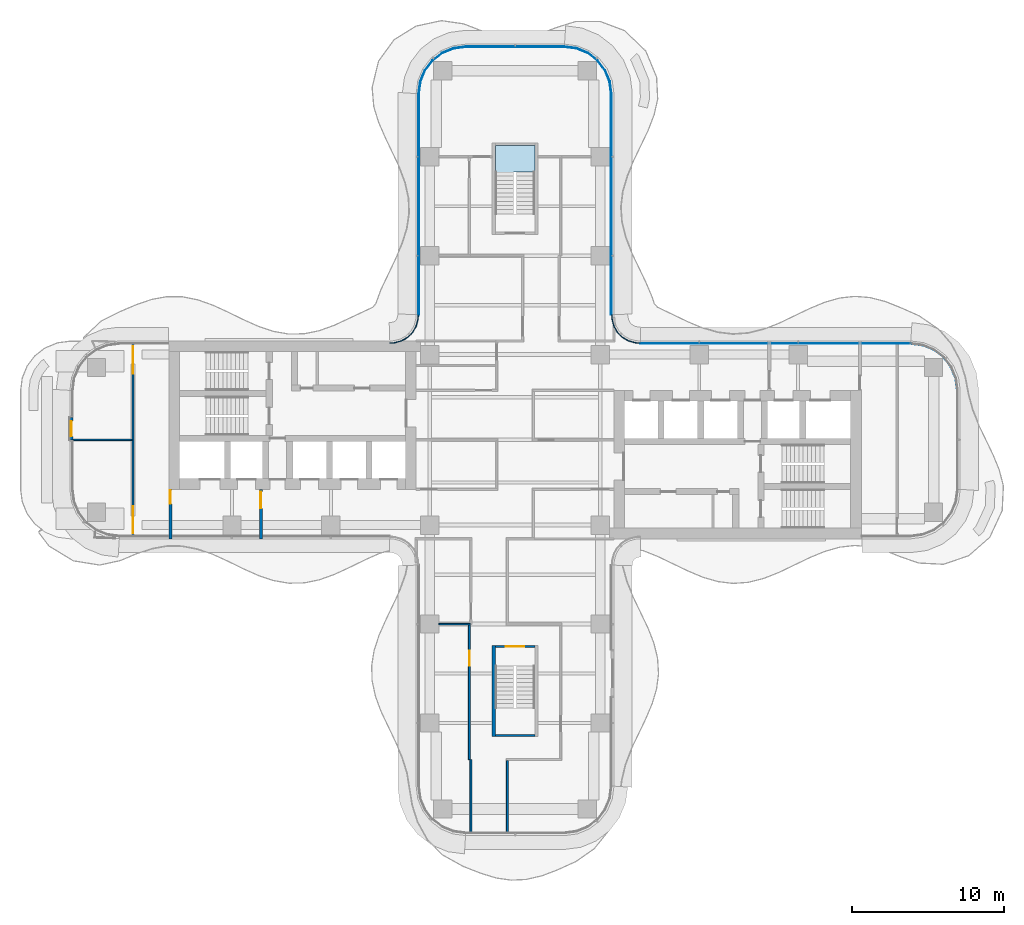
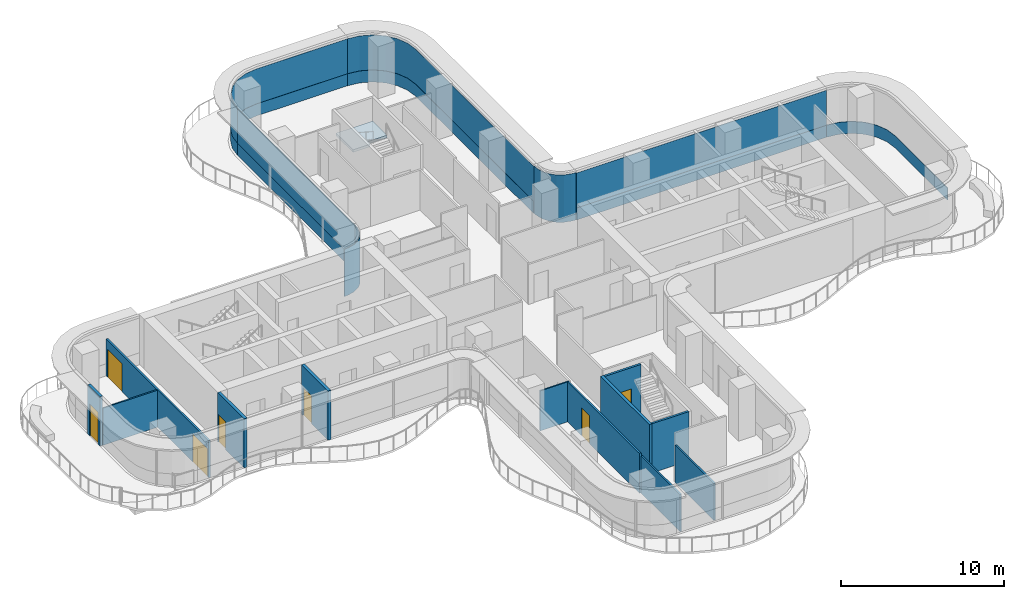
# One storey, part 11 of 17: 12 walls, 11 plates, 7 doors, 1 slab, 7 openings, 8 elements without a shape of their own.
"""IFC4 building model written with IfcOpenShell, lengths in metres."""

from ifc_helpers import new_model, si_unit, direction, frame, frame_2d, origin, place, context, subcontext, project, spatial, polyline, rectangle, outline, extrude, source, transform, mapped, material, layer, layer_set, type_object, element, fill, aggregate, save


model = new_model("IFC4")

# Units and contexts
model_context = context("Model", 3, precision=1e-05, world=origin(), true_north=direction((0.0, 1.0)))
body_context = subcontext(model_context, "Body", "Model", "MODEL_VIEW")
ifc_project = project(units=[si_unit("LENGTHUNIT", "METRE"), si_unit("AREAUNIT", "SQUARE_METRE"), si_unit("VOLUMEUNIT", "CUBIC_METRE"), si_unit("PLANEANGLEUNIT", "RADIAN"), si_unit("MASSUNIT", "GRAM", prefix="KILO")], contexts=[model_context])

# Site, building, storey
site_placement = place(None, origin())
site = spatial("IfcSite", under=ifc_project, at=site_placement, CompositionType="ELEMENT")
building_placement = place(site_placement, origin())
building = spatial("IfcBuilding", under=site, at=building_placement, Name="Trellis Farm Tower", CompositionType="ELEMENT")
storey_placement = place(building_placement, frame((0.0, 0.0, 162.0)))
storey = spatial("IfcBuildingStorey", under=building, at=storey_placement, Name="L34", CompositionType="ELEMENT", Elevation=162.0)

# Stair, slab
ifc_material_1 = material(Name="Concrete C50/60", Category="concrete")
stair_type = type_object("IfcStairType", Name="CORE EXIT STAIR 22 RISERS 177 MM", PredefinedType="HALF_TURN_STAIR", material=ifc_material_1)
placement_1 = place(storey_placement, origin())
stair = element("IfcStair", 1, at=placement_1, inside=storey, type_object=stair_type, Name="Exit stair N", PredefinedType="HALF_TURN_STAIR")
ifc_layer_1 = layer(ifc_material_1, 0.18994140625)
ifc_layer_set_1 = layer_set([ifc_layer_1], Name="CORE STAIR LANDING 190 CONCRETE C50/60")
slab_type = type_object("IfcSlabType", Name="CORE STAIR LANDING 190 CONCRETE C50/60", PredefinedType="LANDING", material=ifc_layer_set_1)
shared_shape_1 = source(origin(), body_context, "Body", "SweptSolid", [
    extrude(outline(polyline([(-0.10009765625, 17.27197265625), (-1.300048828125, 17.27197265625), (-1.300048828125, 17.60009765625), (-1.300048828125, 19.35009765625), (1.300048828125, 19.35009765625), (1.300048828125, 17.60009765625), (1.300048828125, 17.590087890625), (0.10009765625, 17.590087890625), (0.10009765625, 17.60009765625), (-0.10009765625, 17.60009765625), (-0.10009765625, 17.27197265625)])), origin(), (0.0, 0.0, 1.0), 0.18994140625),
])
slab_placement = place(storey_placement, frame((0.0, 0.0, 1.760009765625)))
slab = element("IfcSlab", 2, at=slab_placement, type_object=slab_type, Name="STN landing 1", PredefinedType="LANDING", context=body_context, shape_type="MappedRepresentation", body=[
    mapped(shared_shape_1, transform((0.0, 0.0, 0.0))),
])
aggregate(stair, [slab])

# Curtain wall, plate
ifc_material_2 = material(Name="Aluminium and glass curtain wall", Category="aluminium")
ifc_layer_2 = layer(ifc_material_2, 0.18994140625)
ifc_layer_set_2 = layer_set([ifc_layer_2], Name="RIBBON CURTAIN WALL CW1")
curtain_wall_type_1 = type_object("IfcCurtainWallType", Name="RIBBON CURTAIN WALL CW1", PredefinedType="NOTDEFINED", material=ifc_layer_set_2)
curtain_wall_1 = element("IfcCurtainWall", 3, at=placement_1, inside=storey, type_object=curtain_wall_type_1, Name="CW1 009", PredefinedType="NOTDEFINED")
ifc_material_3 = material(Name="Sandstone faced insulated panel", Category="masonry")
ifc_layer_3 = layer(ifc_material_3, 0.050048828125)
ifc_layer_set_3 = layer_set([ifc_layer_3], Name="CW1 STONE SPANDREL PANEL 50")
plate_type_1 = type_object("IfcPlateType", Name="CW1 STONE SPANDREL PANEL 50", PredefinedType="CURTAIN_PANEL", material=ifc_layer_set_3)
shared_shape_2 = source(origin(), body_context, "Body", "SweptSolid", [
    extrude(outline(polyline([(6.35009765625, 8.2265625), (6.35009765625, 22.740234375), (6.2431640625, 23.552001953125), (5.93359375, 24.29931640625), (5.441162109375, 24.941162109375), (4.79931640625, 25.43359375), (4.052001953125, 25.7431640625), (3.240234375, 25.85009765625), (3.23681640625, 25.800048828125), (4.0390625, 25.6943359375), (4.774169921875, 25.389892578125), (5.405517578125, 24.905517578125), (5.889892578125, 24.274169921875), (6.1943359375, 23.5390625), (6.300048828125, 22.73681640625), (6.300048828125, 8.224853515625), (6.35009765625, 8.2265625)])), origin(), (0.0, 0.0, 1.0), 0.89990234375),
])
plate_1 = element("IfcPlate", 4, at=placement_1, type_object=plate_type_1, Name="PS1 009", PredefinedType="CURTAIN_PANEL", context=body_context, shape_type="MappedRepresentation", body=[
    mapped(shared_shape_2, transform((0.0, 0.0, 0.0))),
])

curtain_wall_2 = element("IfcCurtainWall", 5, at=placement_1, inside=storey, type_object=curtain_wall_type_1, Name="CW1 011", PredefinedType="NOTDEFINED")
shared_shape_3 = source(origin(), body_context, "Body", "SweptSolid", [
    extrude(outline(polyline([(-6.35009765625, 22.740234375), (-6.35009765625, 8.2265625), (-6.300048828125, 8.224853515625), (-6.300048828125, 22.73681640625), (-6.35009765625, 22.740234375)])), origin(), (0.0, 0.0, 1.0), 0.89990234375),
])
plate_2 = element("IfcPlate", 6, at=placement_1, type_object=plate_type_1, Name="PS1 011", PredefinedType="CURTAIN_PANEL", context=body_context, shape_type="MappedRepresentation", body=[
    mapped(shared_shape_3, transform((0.0, 0.0, 0.0))),
])

curtain_wall_3 = element("IfcCurtainWall", 7, at=placement_1, inside=storey, type_object=curtain_wall_type_1, Name="CW1 010", PredefinedType="NOTDEFINED")
shared_shape_4 = source(origin(), body_context, "Body", "SweptSolid", [
    extrude(outline(polyline([(3.240234375, 25.85009765625), (-3.240234375, 25.85009765625), (-4.052001953125, 25.7431640625), (-4.79931640625, 25.43359375), (-5.441162109375, 24.941162109375), (-5.93359375, 24.29931640625), (-6.2431640625, 23.552001953125), (-6.35009765625, 22.740234375), (-6.300048828125, 22.73681640625), (-6.1943359375, 23.5390625), (-5.889892578125, 24.274169921875), (-5.405517578125, 24.905517578125), (-4.774169921875, 25.389892578125), (-4.0390625, 25.6943359375), (-3.23681640625, 25.800048828125), (3.23681640625, 25.800048828125), (3.240234375, 25.85009765625)])), origin(), (0.0, 0.0, 1.0), 0.89990234375),
])
plate_3 = element("IfcPlate", 8, at=placement_1, type_object=plate_type_1, Name="PS1 010", PredefinedType="CURTAIN_PANEL", context=body_context, shape_type="MappedRepresentation", body=[
    mapped(shared_shape_4, transform((0.0, 0.0, 0.0))),
])

curtain_wall_4 = element("IfcCurtainWall", 9, at=placement_1, inside=storey, type_object=curtain_wall_type_1, Name="CW1 008", PredefinedType="NOTDEFINED")
shared_shape_5 = source(origin(), body_context, "Body", "SweptSolid", [
    extrude(outline(polyline([(25.990234375, 6.35009765625), (8.2265625, 6.35009765625), (8.224853515625, 6.300048828125), (25.98681640625, 6.300048828125), (25.990234375, 6.35009765625)])), origin(), (0.0, 0.0, 1.0), 0.89990234375),
])
plate_4 = element("IfcPlate", 10, at=placement_1, type_object=plate_type_1, Name="PS1 008", PredefinedType="CURTAIN_PANEL", context=body_context, shape_type="MappedRepresentation", body=[
    mapped(shared_shape_5, transform((0.0, 0.0, 0.0))),
])

curtain_wall_5 = element("IfcCurtainWall", 11, at=placement_1, inside=storey, type_object=curtain_wall_type_1, Name="CW1 007", PredefinedType="NOTDEFINED")
shared_shape_6 = source(origin(), body_context, "Body", "SweptSolid", [
    extrude(outline(polyline([(29.10009765625, -3.240234375), (29.10009765625, 3.240234375), (28.9931640625, 4.052001953125), (28.68359375, 4.79931640625), (28.191162109375, 5.441162109375), (27.54931640625, 5.93359375), (26.802001953125, 6.2431640625), (25.990234375, 6.35009765625), (25.98681640625, 6.300048828125), (26.7890625, 6.1943359375), (27.524169921875, 5.889892578125), (28.155517578125, 5.405517578125), (28.639892578125, 4.774169921875), (28.9443359375, 4.0390625), (29.050048828125, 3.23681640625), (29.050048828125, -3.23681640625), (29.10009765625, -3.240234375)])), origin(), (0.0, 0.0, 1.0), 0.89990234375),
])
plate_5 = element("IfcPlate", 12, at=placement_1, type_object=plate_type_1, Name="PS1 007", PredefinedType="CURTAIN_PANEL", context=body_context, shape_type="MappedRepresentation", body=[
    mapped(shared_shape_6, transform((0.0, 0.0, 0.0))),
])
aggregate(curtain_wall_5, [plate_5])

ifc_layer_4 = layer(ifc_material_2, 0.166015625)
ifc_layer_set_4 = layer_set([ifc_layer_4], Name="WINTER GARDEN CURTAIN WALL CW3")
curtain_wall_type_2 = type_object("IfcCurtainWallType", Name="WINTER GARDEN CURTAIN WALL CW3", PredefinedType="NOTDEFINED", material=ifc_layer_set_4)
curtain_wall_6 = element("IfcCurtainWall", 13, at=placement_1, inside=storey, type_object=curtain_wall_type_2, Name="CW3 003", PredefinedType="NOTDEFINED")
ifc_material_4 = material(Name="Clear insulated glass", Category="glass")
ifc_layer_5 = layer(ifc_material_4, 0.0458984375)
ifc_layer_set_5 = layer_set([ifc_layer_5], Name="CW3 GLASS PANEL 46")
plate_type_2 = type_object("IfcPlateType", Name="CW3 GLASS PANEL 46", PredefinedType="CURTAIN_PANEL", material=ifc_layer_set_5)
shared_shape_7 = source(origin(), body_context, "Body", "SweptSolid", [
    extrude(outline(polyline([(8.2275390625, 6.3798828125), (8.0078125, 6.394287109375), (7.89208984375, 6.40966796875), (7.462158203125, 6.52490234375), (7.070556640625, 6.7509765625), (6.7509765625, 7.070556640625), (6.52490234375, 7.462158203125), (6.40966796875, 7.89208984375), (6.394287109375, 8.0078125), (6.3798828125, 8.2275390625), (6.333984375, 8.22607421875), (6.3486328125, 8.003173828125), (6.364501953125, 7.883056640625), (6.48193359375, 7.4443359375), (6.714111328125, 7.04248046875), (7.04248046875, 6.714111328125), (7.4443359375, 6.48193359375), (7.883056640625, 6.364501953125), (8.003173828125, 6.3486328125), (8.22607421875, 6.333984375), (8.2275390625, 6.3798828125)])), origin(), (0.0, 0.0, 1.0), 3.550048828125),
])
plate_6 = element("IfcPlate", 14, at=placement_1, type_object=plate_type_2, Name="PL3 003", PredefinedType="CURTAIN_PANEL", context=body_context, shape_type="MappedRepresentation", body=[
    mapped(shared_shape_7, transform((0.0, 0.0, 0.0))),
])
aggregate(curtain_wall_6, [plate_6])

curtain_wall_7 = element("IfcCurtainWall", 15, at=placement_1, inside=storey, type_object=curtain_wall_type_2, Name="CW3 004", PredefinedType="NOTDEFINED")
shared_shape_8 = source(origin(), body_context, "Body", "SweptSolid", [
    extrude(outline(polyline([(-6.3798828125, 8.2275390625), (-6.394287109375, 8.0078125), (-6.40966796875, 7.89208984375), (-6.52490234375, 7.462158203125), (-6.7509765625, 7.070556640625), (-7.070556640625, 6.7509765625), (-7.462158203125, 6.52490234375), (-7.89208984375, 6.40966796875), (-8.0078125, 6.394287109375), (-8.2275390625, 6.3798828125), (-8.22607421875, 6.333984375), (-8.003173828125, 6.3486328125), (-7.883056640625, 6.364501953125), (-7.4443359375, 6.48193359375), (-7.04248046875, 6.714111328125), (-6.714111328125, 7.04248046875), (-6.48193359375, 7.4443359375), (-6.364501953125, 7.883056640625), (-6.3486328125, 8.003173828125), (-6.333984375, 8.22607421875), (-6.3798828125, 8.2275390625)])), origin(), (0.0, 0.0, 1.0), 3.550048828125),
])
plate_7 = element("IfcPlate", 16, at=placement_1, type_object=plate_type_2, Name="PL3 004", PredefinedType="CURTAIN_PANEL", context=body_context, shape_type="MappedRepresentation", body=[
    mapped(shared_shape_8, transform((0.0, 0.0, 0.0))),
])
aggregate(curtain_wall_7, [plate_7])

# Plate
ifc_layer_6 = layer(ifc_material_4, 0.0400390625)
ifc_layer_set_6 = layer_set([ifc_layer_6], Name="CW1 GLASS PANEL 40")
plate_type_3 = type_object("IfcPlateType", Name="CW1 GLASS PANEL 40", PredefinedType="CURTAIN_PANEL", material=ifc_layer_set_6)
shared_shape_9 = source(origin(), body_context, "Body", "SweptSolid", [
    extrude(outline(polyline([(25.990234375, 6.35009765625), (8.2265625, 6.35009765625), (8.22509765625, 6.31005859375), (25.987548828125, 6.31005859375), (25.990234375, 6.35009765625)])), origin(), (0.0, 0.0, 1.0), 2.6201171875),
])
placement_2 = place(storey_placement, frame((0.0, 0.0, 0.89990234375)))
plate_8 = element("IfcPlate", 17, at=placement_2, type_object=plate_type_3, Name="PL1 008", PredefinedType="CURTAIN_PANEL", context=body_context, shape_type="MappedRepresentation", body=[
    mapped(shared_shape_9, transform((0.0, 0.0, 0.0))),
])

aggregate(curtain_wall_4, [plate_8, plate_4])

shared_shape_10 = source(origin(), body_context, "Body", "SweptSolid", [
    extrude(outline(polyline([(6.35009765625, 8.2265625), (6.35009765625, 22.740234375), (6.2431640625, 23.552001953125), (5.93359375, 24.29931640625), (5.441162109375, 24.941162109375), (4.79931640625, 25.43359375), (4.052001953125, 25.7431640625), (3.240234375, 25.85009765625), (3.237548828125, 25.81005859375), (4.04150390625, 25.7041015625), (4.779296875, 25.398681640625), (5.41259765625, 24.91259765625), (5.898681640625, 24.279296875), (6.2041015625, 23.54150390625), (6.31005859375, 22.737548828125), (6.31005859375, 8.22509765625), (6.35009765625, 8.2265625)])), origin(), (0.0, 0.0, 1.0), 2.6201171875),
])
plate_9 = element("IfcPlate", 18, at=placement_2, type_object=plate_type_3, Name="PL1 009", PredefinedType="CURTAIN_PANEL", context=body_context, shape_type="MappedRepresentation", body=[
    mapped(shared_shape_10, transform((0.0, 0.0, 0.0))),
])

aggregate(curtain_wall_1, [plate_9, plate_1])

shared_shape_11 = source(origin(), body_context, "Body", "SweptSolid", [
    extrude(outline(polyline([(3.240234375, 25.85009765625), (-3.240234375, 25.85009765625), (-4.052001953125, 25.7431640625), (-4.79931640625, 25.43359375), (-5.441162109375, 24.941162109375), (-5.93359375, 24.29931640625), (-6.2431640625, 23.552001953125), (-6.35009765625, 22.740234375), (-6.31005859375, 22.737548828125), (-6.2041015625, 23.54150390625), (-5.898681640625, 24.279296875), (-5.41259765625, 24.91259765625), (-4.779296875, 25.398681640625), (-4.04150390625, 25.7041015625), (-3.237548828125, 25.81005859375), (3.237548828125, 25.81005859375), (3.240234375, 25.85009765625)])), origin(), (0.0, 0.0, 1.0), 2.6201171875),
])
plate_10 = element("IfcPlate", 19, at=placement_2, type_object=plate_type_3, Name="PL1 010", PredefinedType="CURTAIN_PANEL", context=body_context, shape_type="MappedRepresentation", body=[
    mapped(shared_shape_11, transform((0.0, 0.0, 0.0))),
])

aggregate(curtain_wall_3, [plate_10, plate_3])

shared_shape_12 = source(origin(), body_context, "Body", "SweptSolid", [
    extrude(outline(polyline([(-6.35009765625, 22.740234375), (-6.35009765625, 8.2265625), (-6.31005859375, 8.22509765625), (-6.31005859375, 22.737548828125), (-6.35009765625, 22.740234375)])), origin(), (0.0, 0.0, 1.0), 2.6201171875),
])
plate_11 = element("IfcPlate", 20, at=placement_2, type_object=plate_type_3, Name="PL1 011", PredefinedType="CURTAIN_PANEL", context=body_context, shape_type="MappedRepresentation", body=[
    mapped(shared_shape_12, transform((0.0, 0.0, 0.0))),
])

aggregate(curtain_wall_2, [plate_11, plate_2])

# Wall, opening, door
ifc_material_5 = material(Name="Masonry blockwork", Category="masonry")
ifc_layer_7 = layer(ifc_material_5, 0.199951171875)
ifc_layer_set_7 = layer_set([ifc_layer_7], Name="FIRE LOBBY PARTITION 200 BLOCKWORK")
wall_type_1 = type_object("IfcWallType", Name="FIRE LOBBY PARTITION 200 BLOCKWORK", PredefinedType="PARTITIONING", material=ifc_layer_set_7)
shared_shape_13 = source(origin(), body_context, "Body", "SweptSolid", [
    extrude(rectangle(XDim=3.25, YDim=0.199951171875, at=frame_2d((1.625, 0.0))), origin(), (0.0, 0.0, 1.0), 3.699951171875),
])
wall_1_placement = place(storey_placement, frame((-16.699951171875, -3.25, 0.0), z_axis=(0.0, 0.0, 1.0), x_axis=(0.0, -1.0, 0.0)))
wall_1 = element("IfcWall", 21, at=wall_1_placement, inside=storey, type_object=wall_type_1, Name="Fire-fighting lobby partition", PredefinedType="PARTITIONING", context=body_context, shape_type="MappedRepresentation", body=[
    mapped(shared_shape_13, transform((0.0, 0.0, 0.0))),
])
shared_shape_14 = source(origin(), body_context, "Body", "SweptSolid", [
    extrude(rectangle(XDim=1.10009765625, YDim=2.10009765625, at=frame_2d((0.550048828125, 1.050048828125))), frame((0.0, 0.110107421875, 0.0), z_axis=(0.0, -1.0, 0.0), x_axis=(1.0, 0.0, 0.0)), (0.0, 0.0, 1.0), 0.22021484375),
])
opening_1_placement = place(wall_1_placement, frame((0.14990234375, 0.0, 0.0)))
opening_1 = element("IfcOpeningElement", 22, at=opening_1_placement, cuts=wall_1, Name="Opening DC93", PredefinedType="OPENING", context=body_context, shape_type="MappedRepresentation", body=[
    mapped(shared_shape_14, transform((0.0, 0.0, 0.0))),
])
ifc_material_6 = material(Name="Steel", Category="steel")
door_type_1 = type_object("IfcDoorType", Name="CORE FIRE DOOR 1100 X 2100", OperationType="NOTDEFINED", PredefinedType="DOOR", material=ifc_material_6)
shared_shape_15 = source(origin(), body_context, "Body", "SweptSolid", [
    extrude(rectangle(XDim=1.10009765625, YDim=2.10009765625, at=frame_2d((0.550048828125, 1.050048828125))), frame((0.0, 0.02490234375, 0.0), z_axis=(0.0, -1.0, 0.0), x_axis=(1.0, 0.0, 0.0)), (0.0, 0.0, 1.0), 0.050048828125),
])
door_1_placement = place(opening_1_placement, origin())
door_1 = element("IfcDoor", 23, at=door_1_placement, inside=storey, type_object=door_type_1, Name="Core door", OperationType="SINGLE_SWING_RIGHT", OverallHeight=2.10009765625, OverallWidth=1.10009765625, PredefinedType="DOOR", context=body_context, shape_type="MappedRepresentation", body=[
    mapped(shared_shape_15, transform((0.0, 0.0, 0.0))),
])
fill(opening_1, door_1)

wall_2_placement = place(storey_placement, frame((-22.64990234375, -3.25, 0.0), z_axis=(0.0, 0.0, 1.0), x_axis=(0.0, -1.0, 0.0)))
wall_2 = element("IfcWall", 24, at=wall_2_placement, inside=storey, type_object=wall_type_1, Name="Fire-fighting lobby partition", PredefinedType="PARTITIONING", context=body_context, shape_type="MappedRepresentation", body=[
    mapped(shared_shape_13, transform((0.0, 0.0, 0.0))),
])
shared_shape_16 = source(origin(), body_context, "Body", "SweptSolid", [
    extrude(rectangle(XDim=0.89990234375, YDim=2.10009765625, at=frame_2d((0.449951171875, 1.050048828125))), frame((0.0, 0.110107421875, 0.0), z_axis=(0.0, -1.0, 0.0), x_axis=(1.0, 0.0, 0.0)), (0.0, 0.0, 1.0), 0.22021484375),
])
opening_2_placement = place(wall_2_placement, frame((0.050048828125, 0.0, 0.0)))
opening_2 = element("IfcOpeningElement", 25, at=opening_2_placement, cuts=wall_2, Name="Opening DC94", PredefinedType="OPENING", context=body_context, shape_type="MappedRepresentation", body=[
    mapped(shared_shape_16, transform((0.0, 0.0, 0.0))),
])
door_type_2 = type_object("IfcDoorType", Name="CORE FIRE DOOR 900 X 2100", OperationType="NOTDEFINED", PredefinedType="DOOR", material=ifc_material_6)
shared_shape_17 = source(origin(), body_context, "Body", "SweptSolid", [
    extrude(rectangle(XDim=0.89990234375, YDim=2.10009765625, at=frame_2d((0.449951171875, 1.050048828125))), frame((0.0, 0.02490234375, 0.0), z_axis=(0.0, -1.0, 0.0), x_axis=(1.0, 0.0, 0.0)), (0.0, 0.0, 1.0), 0.050048828125),
])
door_2_placement = place(opening_2_placement, origin())
door_2 = element("IfcDoor", 26, at=door_2_placement, inside=storey, type_object=door_type_2, Name="Core door", OperationType="SINGLE_SWING_RIGHT", OverallHeight=2.10009765625, OverallWidth=0.89990234375, PredefinedType="DOOR", context=body_context, shape_type="MappedRepresentation", body=[
    mapped(shared_shape_17, transform((0.0, 0.0, 0.0))),
])
fill(opening_2, door_2)

# Wall
ifc_material_7 = material(Name="Concrete C70/85", Category="concrete")
ifc_layer_8 = layer(ifc_material_7, 0.199951171875)
ifc_layer_set_8 = layer_set([ifc_layer_8], Name="CORE STAIR ENCLOSURE WALL 200 CONCRETE C70/85")
wall_type_2 = type_object("IfcWallType", Name="CORE STAIR ENCLOSURE WALL 200 CONCRETE C70/85", PredefinedType="SHEAR", material=ifc_layer_set_8)
shared_shape_18 = source(origin(), body_context, "Body", "SweptSolid", [
    extrude(rectangle(XDim=6.0, YDim=0.199951171875, at=frame_2d((3.0, 0.0))), origin(), (0.0, 0.0, 1.0), 3.699951171875),
])
wall_3_placement = place(storey_placement, frame((-1.39990234375, -13.5, 0.0), z_axis=(0.0, 0.0, 1.0), x_axis=(0.0, -1.0, 0.0)))
element("IfcWall", 27, at=wall_3_placement, inside=storey, type_object=wall_type_2, Name="Stair enclosure wall", PredefinedType="SHEAR", context=body_context, shape_type="MappedRepresentation", body=[
    mapped(shared_shape_18, transform((0.0, 0.0, 0.0))),
])

# Wall, opening, door
ifc_layer_9 = layer(ifc_material_7, 0.14990234375)
ifc_layer_set_9 = layer_set([ifc_layer_9], Name="CORE STAIR ENCLOSURE WALL 150 CONCRETE C70/85")
wall_type_3 = type_object("IfcWallType", Name="CORE STAIR ENCLOSURE WALL 150 CONCRETE C70/85", PredefinedType="SHEAR", material=ifc_layer_set_9)
shared_shape_19 = source(origin(), body_context, "Body", "SweptSolid", [
    extrude(rectangle(XDim=2.60009765625, YDim=0.14990234375, at=frame_2d((1.300048828125, 0.0))), origin(), (0.0, 0.0, 1.0), 3.699951171875),
])
wall_4_placement = place(storey_placement, frame((1.300048828125, -13.574951171875, 0.0), z_axis=(0.0, 0.0, 1.0), x_axis=(-1.0, 0.0, 0.0)))
wall_4 = element("IfcWall", 28, at=wall_4_placement, inside=storey, type_object=wall_type_3, Name="Stair enclosure wall", PredefinedType="SHEAR", context=body_context, shape_type="MappedRepresentation", body=[
    mapped(shared_shape_19, transform((0.0, 0.0, 0.0))),
])
shared_shape_20 = source(origin(), body_context, "Body", "SweptSolid", [
    extrude(rectangle(XDim=1.199951171875, YDim=2.10009765625, at=frame_2d((0.60009765625, 1.050048828125))), frame((0.0, 0.0849609375, 0.0), z_axis=(0.0, -1.0, 0.0), x_axis=(1.0, 0.0, 0.0)), (0.0, 0.0, 1.0), 0.169921875),
])
opening_3_placement = place(wall_4_placement, frame((0.699951171875, 0.0, 0.0)))
opening_3 = element("IfcOpeningElement", 29, at=opening_3_placement, cuts=wall_4, Name="Opening DC174", PredefinedType="OPENING", context=body_context, shape_type="MappedRepresentation", body=[
    mapped(shared_shape_20, transform((0.0, 0.0, 0.0))),
])
door_type_3 = type_object("IfcDoorType", Name="CORE FIRE DOOR 1200 X 2100", OperationType="NOTDEFINED", PredefinedType="DOOR", material=ifc_material_6)
shared_shape_21 = source(origin(), body_context, "Body", "SweptSolid", [
    extrude(rectangle(XDim=1.199951171875, YDim=2.10009765625, at=frame_2d((0.60009765625, 1.050048828125))), frame((0.0, 0.02490234375, 0.0), z_axis=(0.0, -1.0, 0.0), x_axis=(1.0, 0.0, 0.0)), (0.0, 0.0, 1.0), 0.050048828125),
])
door_3_placement = place(opening_3_placement, origin())
door_3 = element("IfcDoor", 30, at=door_3_placement, inside=storey, type_object=door_type_3, Name="Core door", OperationType="SINGLE_SWING_RIGHT", OverallHeight=2.10009765625, OverallWidth=1.199951171875, PredefinedType="DOOR", context=body_context, shape_type="MappedRepresentation", body=[
    mapped(shared_shape_21, transform((0.0, 0.0, 0.0))),
])
fill(opening_3, door_3)

# Wall
wall_5_placement = place(storey_placement, frame((1.300048828125, -19.425048828125, 0.0), z_axis=(0.0, 0.0, 1.0), x_axis=(-1.0, 0.0, 0.0)))
element("IfcWall", 31, at=wall_5_placement, inside=storey, type_object=wall_type_3, Name="Stair enclosure wall", PredefinedType="SHEAR", context=body_context, shape_type="MappedRepresentation", body=[
    mapped(shared_shape_19, transform((0.0, 0.0, 0.0))),
])

# Wall, opening, door
ifc_material_8 = material(Name="Sandstone faced insulated wall", Category="masonry")
ifc_layer_10 = layer(ifc_material_8, 0.199951171875)
ifc_layer_set_10 = layer_set([ifc_layer_10], Name="EXTERNAL INFILL WALL 200")
wall_type_4 = type_object("IfcWallType", Name="EXTERNAL INFILL WALL 200", PredefinedType="SOLIDWALL", material=ifc_layer_set_10)
shared_shape_22 = source(origin(), body_context, "Body", "SweptSolid", [
    extrude(rectangle(XDim=1.5, YDim=0.199951171875, at=frame_2d((0.75, 0.0))), origin(), (0.0, 0.0, 1.0), 3.699951171875),
])
wall_6_placement = place(storey_placement, frame((-29.14990234375, 1.47998046875, 0.0), z_axis=(0.0, 0.0, 1.0), x_axis=(0.0, -1.0, 0.0)))
wall_6 = element("IfcWall", 32, at=wall_6_placement, inside=storey, type_object=wall_type_4, Name="EW1 02", PredefinedType="SOLIDWALL", context=body_context, shape_type="MappedRepresentation", body=[
    mapped(shared_shape_22, transform((0.0, 0.0, 0.0))),
])
shared_shape_23 = source(origin(), body_context, "Body", "SweptSolid", [
    extrude(rectangle(XDim=1.0, YDim=2.39990234375, at=frame_2d((0.5, 1.199951171875))), frame((0.0, 0.110107421875, 0.0), z_axis=(0.0, -1.0, 0.0), x_axis=(1.0, 0.0, 0.0)), (0.0, 0.0, 1.0), 0.22021484375),
])
opening_4_placement = place(wall_6_placement, frame((0.25, 0.0, 0.0)))
opening_4 = element("IfcOpeningElement", 33, at=opening_4_placement, cuts=wall_6, Name="Opening ED2", PredefinedType="OPENING", context=body_context, shape_type="MappedRepresentation", body=[
    mapped(shared_shape_23, transform((0.0, 0.0, 0.0))),
])
ifc_material_9 = material(Name="Aluminium framed glazed door", Category="aluminium")
door_type_4 = type_object("IfcDoorType", Name="BALCONY DOOR 1000x2400", OperationType="SINGLE_SWING_LEFT", PredefinedType="DOOR", material=ifc_material_9)
shared_shape_24 = source(origin(), body_context, "Body", "SweptSolid", [
    extrude(rectangle(XDim=1.0, YDim=2.39990234375, at=frame_2d((0.5, 1.199951171875))), frame((0.0, 0.02490234375, 0.0), z_axis=(0.0, -1.0, 0.0), x_axis=(1.0, 0.0, 0.0)), (0.0, 0.0, 1.0), 0.050048828125),
])
door_4_placement = place(opening_4_placement, origin())
door_4 = element("IfcDoor", 34, at=door_4_placement, inside=storey, type_object=door_type_4, Name="Balcony door", OperationType="SINGLE_SWING_LEFT", OverallHeight=2.39990234375, OverallWidth=1.0, PredefinedType="DOOR", context=body_context, shape_type="MappedRepresentation", body=[
    mapped(shared_shape_24, transform((0.0, 0.0, 0.0))),
])
fill(opening_4, door_4)

# Wall, openings, doors
ifc_material_10 = material(Name="Plasterboard on steel studs, mineral wool", Category="steel")
ifc_layer_11 = layer(ifc_material_10, 0.125)
ifc_layer_set_11 = layer_set([ifc_layer_11], Name="PARTITION 125 STUD EI 60")
wall_type_5 = type_object("IfcWallType", Name="PARTITION 125 STUD EI 60", PredefinedType="PARTITIONING", material=ifc_layer_set_11)
shared_shape_25 = source(origin(), body_context, "Body", "SweptSolid", [
    extrude(rectangle(XDim=12.60009765625, YDim=0.125, at=frame_2d((6.300048828125, 0.0))), origin(), (0.0, 0.0, 1.0), 2.780029296875),
])
wall_7_placement = place(storey_placement, frame((-25.10009765625, -6.300048828125, 0.0), z_axis=(0.0, 0.0, 1.0), x_axis=(0.0, 1.0, 0.0)))
wall_7 = element("IfcWall", 35, at=wall_7_placement, inside=storey, type_object=wall_type_5, Name="Partition PW1", PredefinedType="PARTITIONING", context=body_context, shape_type="MappedRepresentation", body=[
    mapped(shared_shape_25, transform((0.0, 0.0, 0.0))),
])
shared_shape_26 = source(origin(), body_context, "Body", "SweptSolid", [
    extrude(rectangle(XDim=1.800048828125, YDim=2.10009765625, at=frame_2d((0.89990234375, 1.050048828125))), frame((0.0, 0.072509765625, 0.0), z_axis=(0.0, -1.0, 0.0), x_axis=(1.0, 0.0, 0.0)), (0.0, 0.0, 1.0), 0.14501953125),
])
opening_5_placement = place(wall_7_placement, frame((0.14990234375, 0.0, 0.0)))
opening_5 = element("IfcOpeningElement", 36, at=opening_5_placement, cuts=wall_7, Name="Opening D201", PredefinedType="OPENING", context=body_context, shape_type="MappedRepresentation", body=[
    mapped(shared_shape_26, transform((0.0, 0.0, 0.0))),
])
opening_6_placement = place(wall_7_placement, frame((10.64990234375, 0.0, 0.0)))
opening_6 = element("IfcOpeningElement", 37, at=opening_6_placement, cuts=wall_7, Name="Opening D202", PredefinedType="OPENING", context=body_context, shape_type="MappedRepresentation", body=[
    mapped(shared_shape_26, transform((0.0, 0.0, 0.0))),
])
ifc_material_11 = material(Name="Fire-rated timber door leaf in a hollow metal frame", Category="wood")
door_type_5 = type_object("IfcDoorType", Name="DOOR PAIR 1800x2100 FD30S", OperationType="NOTDEFINED", PredefinedType="DOOR", material=ifc_material_11)
shared_shape_27 = source(origin(), body_context, "Body", "SweptSolid", [
    extrude(rectangle(XDim=1.800048828125, YDim=2.10009765625, at=frame_2d((0.89990234375, 1.050048828125))), frame((0.0, 0.02490234375, 0.0), z_axis=(0.0, -1.0, 0.0), x_axis=(1.0, 0.0, 0.0)), (0.0, 0.0, 1.0), 0.050048828125),
])
door_5_placement = place(opening_5_placement, origin())
door_5 = element("IfcDoor", 38, at=door_5_placement, inside=storey, type_object=door_type_5, Name="Door D201", OperationType="DOUBLE_DOOR_SINGLE_SWING", OverallHeight=2.10009765625, OverallWidth=1.800048828125, PredefinedType="DOOR", context=body_context, shape_type="MappedRepresentation", body=[
    mapped(shared_shape_27, transform((0.0, 0.0, 0.0))),
])
fill(opening_5, door_5)
door_6_placement = place(opening_6_placement, origin())
door_6 = element("IfcDoor", 39, at=door_6_placement, inside=storey, type_object=door_type_5, Name="Door D202", OperationType="DOUBLE_DOOR_SINGLE_SWING", OverallHeight=2.10009765625, OverallWidth=1.800048828125, PredefinedType="DOOR", context=body_context, shape_type="MappedRepresentation", body=[
    mapped(shared_shape_27, transform((0.0, 0.0, 0.0))),
])
fill(opening_6, door_6)

# Wall
ifc_material_12 = material(Name="Plasterboard on steel studs", Category="steel")
ifc_layer_12 = layer(ifc_material_12, 0.10009765625)
ifc_layer_set_12 = layer_set([ifc_layer_12], Name="PARTITION 100 STUD EI 30")
wall_type_6 = type_object("IfcWallType", Name="PARTITION 100 STUD EI 30", PredefinedType="PARTITIONING", material=ifc_layer_set_12)
shared_shape_28 = source(origin(), body_context, "Body", "SweptSolid", [
    extrude(rectangle(XDim=2.0625, YDim=0.10009765625, at=frame_2d((1.03125, 0.0))), origin(), (0.0, 0.0, 1.0), 2.99658203125),
])
wall_8_placement = place(storey_placement, frame((-5.0, -12.10009765625, 0.0), z_axis=(0.0, 0.0, 1.0), x_axis=(1.0, 0.0, 0.0)))
element("IfcWall", 40, at=wall_8_placement, inside=storey, type_object=wall_type_6, Name="Partition PW2", PredefinedType="PARTITIONING", context=body_context, shape_type="MappedRepresentation", body=[
    mapped(shared_shape_28, transform((0.0, 0.0, 0.0))),
])

# Wall, opening, door
shared_shape_29 = source(origin(), body_context, "Body", "SweptSolid", [
    extrude(rectangle(XDim=8.85009765625, YDim=0.125, at=frame_2d((4.425048828125, 0.0))), origin(), (0.0, 0.0, 1.0), 2.99658203125),
])
wall_9_placement = place(storey_placement, frame((-3.0, -21.0, 0.0), z_axis=(0.0, 0.0, 1.0), x_axis=(0.0, 1.0, 0.0)))
wall_9 = element("IfcWall", 41, at=wall_9_placement, inside=storey, type_object=wall_type_5, Name="Partition PW1", PredefinedType="PARTITIONING", context=body_context, shape_type="MappedRepresentation", body=[
    mapped(shared_shape_29, transform((0.0, 0.0, 0.0))),
])
shared_shape_30 = source(origin(), body_context, "Body", "SweptSolid", [
    extrude(rectangle(XDim=1.0, YDim=2.10009765625, at=frame_2d((0.5, 1.050048828125))), frame((0.0, 0.072509765625, 0.0), z_axis=(0.0, -1.0, 0.0), x_axis=(1.0, 0.0, 0.0)), (0.0, 0.0, 1.0), 0.14501953125),
])
opening_7_placement = place(wall_9_placement, frame((6.14990234375, 0.0, 0.0)))
opening_7 = element("IfcOpeningElement", 42, at=opening_7_placement, cuts=wall_9, Name="Opening D102", PredefinedType="OPENING", context=body_context, shape_type="MappedRepresentation", body=[
    mapped(shared_shape_30, transform((0.0, 0.0, 0.0))),
])
door_type_6 = type_object("IfcDoorType", Name="DOOR 1000x2100 FD30S", OperationType="NOTDEFINED", PredefinedType="DOOR", material=ifc_material_11)
shared_shape_31 = source(origin(), body_context, "Body", "SweptSolid", [
    extrude(rectangle(XDim=1.0, YDim=2.10009765625, at=frame_2d((0.5, 1.050048828125))), frame((0.0, 0.02490234375, 0.0), z_axis=(0.0, -1.0, 0.0), x_axis=(1.0, 0.0, 0.0)), (0.0, 0.0, 1.0), 0.050048828125),
])
door_7_placement = place(opening_7_placement, origin())
door_7 = element("IfcDoor", 43, at=door_7_placement, inside=storey, type_object=door_type_6, Name="Door D102", OperationType="SINGLE_SWING_RIGHT", OverallHeight=2.10009765625, OverallWidth=1.0, PredefinedType="DOOR", context=body_context, shape_type="MappedRepresentation", body=[
    mapped(shared_shape_31, transform((0.0, 0.0, 0.0))),
])
fill(opening_7, door_7)

# Walls
shared_shape_32 = source(origin(), body_context, "Body", "SweptSolid", [
    extrude(rectangle(XDim=4.800048828125, YDim=0.125, at=frame_2d((2.39990234375, 0.0))), origin(), (0.0, 0.0, 1.0), 2.780029296875),
])
wall_10_placement = place(storey_placement, frame((-2.89990234375, -25.800048828125, 0.0), z_axis=(0.0, 0.0, 1.0), x_axis=(0.0, 1.0, 0.0)))
element("IfcWall", 44, at=wall_10_placement, inside=storey, type_object=wall_type_5, Name="Partition PW1", PredefinedType="PARTITIONING", context=body_context, shape_type="MappedRepresentation", body=[
    mapped(shared_shape_32, transform((0.0, 0.0, 0.0))),
])
shared_shape_33 = source(origin(), body_context, "Body", "SweptSolid", [
    extrude(rectangle(XDim=4.737548828125, YDim=0.125, at=frame_2d((2.36865234375, 0.0))), origin(), (0.0, 0.0, 1.0), 2.780029296875),
])
wall_11_placement = place(storey_placement, frame((-0.5, -21.0625, 0.0), z_axis=(0.0, 0.0, 1.0), x_axis=(0.0, -1.0, 0.0)))
element("IfcWall", 45, at=wall_11_placement, inside=storey, type_object=wall_type_5, Name="Partition PW1", PredefinedType="PARTITIONING", context=body_context, shape_type="MappedRepresentation", body=[
    mapped(shared_shape_33, transform((0.0, 0.0, 0.0))),
])
shared_shape_34 = source(origin(), body_context, "Body", "SweptSolid", [
    extrude(rectangle(XDim=3.887451171875, YDim=0.10009765625, at=frame_2d((1.94384765625, 0.0))), origin(), (0.0, 0.0, 1.0), 2.780029296875),
])
wall_12_placement = place(storey_placement, frame((-29.050048828125, 0.0, 0.0), z_axis=(0.0, 0.0, 1.0), x_axis=(1.0, 0.0, 0.0)))
element("IfcWall", 46, at=wall_12_placement, inside=storey, type_object=wall_type_6, Name="Partition PW2", PredefinedType="PARTITIONING", context=body_context, shape_type="MappedRepresentation", body=[
    mapped(shared_shape_34, transform((0.0, 0.0, 0.0))),
])

save(model, "model.ifc")
